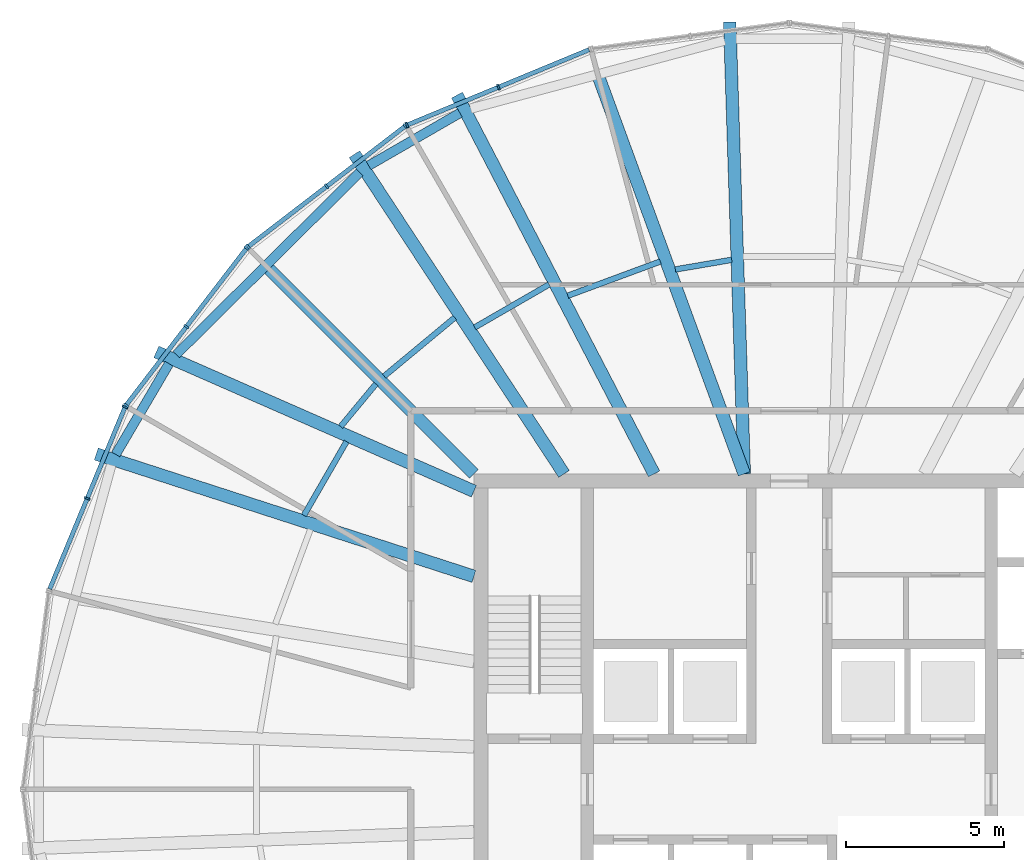
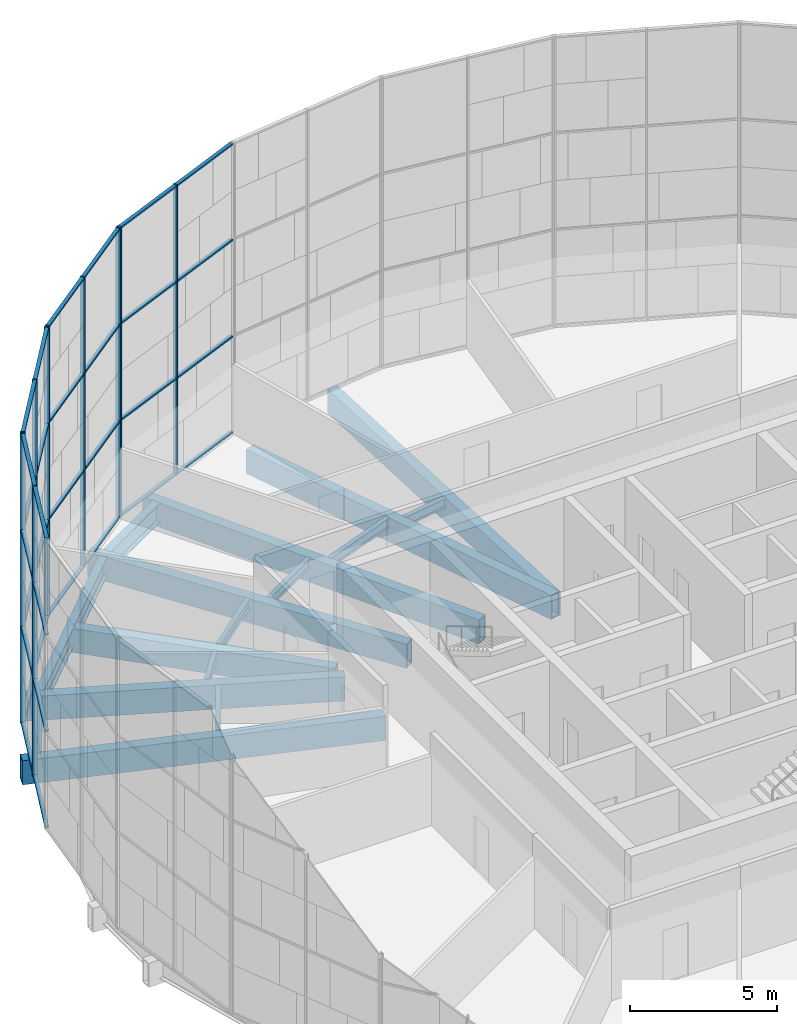
# One storey, part 6 of 22: 42 members, 16 beams, 4 elements without a shape of their own.
"""IFC4 building model written with IfcOpenShell, lengths in metres."""

from ifc_helpers import new_model, si_unit, direction, frame, origin, origin_2d, place, context, subcontext, project, spatial, rectangle, hollow_rectangle, i_section, extrude, material, material_profile, profile_set, type_object, element, aggregate, save


model = new_model("IFC4")

# Units and contexts
model_context = context("Model", 3, precision=1e-05, world=origin(), true_north=direction((0.0, 1.0)))
body_context = subcontext(model_context, "Body", "Model", "MODEL_VIEW")
ifc_project = project(units=[si_unit("LENGTHUNIT", "METRE"), si_unit("AREAUNIT", "SQUARE_METRE"), si_unit("VOLUMEUNIT", "CUBIC_METRE"), si_unit("PLANEANGLEUNIT", "RADIAN"), si_unit("MASSUNIT", "GRAM", prefix="KILO")], contexts=[model_context])

# Site, building, storey
site_placement = place(None, origin())
site = spatial("IfcSite", under=ifc_project, at=site_placement, CompositionType="ELEMENT")
building_placement = place(site_placement, origin())
building = spatial("IfcBuilding", under=site, at=building_placement, Name="Golbaran Civic Tower", CompositionType="ELEMENT")
storey_placement = place(building_placement, frame((0.0, 0.0, 155.0)))
storey = spatial("IfcBuildingStorey", under=building, at=storey_placement, Name="L37", CompositionType="ELEMENT", Elevation=155.0)

# Beams
ifc_material_1 = material(Name="Steel S355", Category="steel")
ifc_material_profile_1 = material_profile(ifc_material_1, i_section(OverallWidth=0.300048828125, OverallDepth=0.800048828125, WebThickness=0.017578125, FlangeThickness=0.032958984375, FilletRadius=0.030029296875, at=origin_2d()), Name="HEB 800")
ifc_profile_set_1 = profile_set([ifc_material_profile_1], Name="Steel S355")
beam_type_1 = type_object("IfcBeamType", Name="EDGE BEAM HEB 800", PredefinedType="BEAM", material=ifc_profile_set_1)
beam_1_placement = place(storey_placement, frame((-10.44287109375, 21.443115234375, -0.60009765625), z_axis=(-0.866175852343, -0.499739324867, 0.0), x_axis=(0.499739324867, -0.866175852343, 0.0)))
element("IfcBeam", 1, at=beam_1_placement, inside=storey, type_object=beam_type_1, Name="Edge beam 115.62 L37", PredefinedType="BEAM", context=body_context, shape_type="SweptSolid", body=[
    extrude(i_section(OverallWidth=0.300048828125, OverallDepth=0.800048828125, WebThickness=0.017578125, FlangeThickness=0.032958984375, FilletRadius=0.030029296875, at=origin_2d()), origin(), (0.0, 0.0, 1.0), 3.340576171875),
])
beam_2_placement = place(storey_placement, frame((-13.623046875, 19.55419921875, -0.60009765625), z_axis=(-0.709963262307, -0.704238713913, 0.0), x_axis=(0.704238713913, -0.709963262307, 0.0)))
element("IfcBeam", 2, at=beam_2_placement, inside=storey, type_object=beam_type_1, Name="Edge beam 124.38 L37", PredefinedType="BEAM", context=body_context, shape_type="SweptSolid", body=[
    extrude(i_section(OverallWidth=0.300048828125, OverallDepth=0.800048828125, WebThickness=0.017578125, FlangeThickness=0.032958984375, FilletRadius=0.030029296875, at=origin_2d()), origin(), (0.0, 0.0, 1.0), 8.1884765625),
])
beam_3_placement = place(storey_placement, frame((-19.665771484375, 13.4951171875, -0.60009765625), z_axis=(-0.506674807094, -0.862137251171, 0.0), x_axis=(0.862137251171, -0.506674807094, 0.0)))
element("IfcBeam", 3, at=beam_3_placement, inside=storey, type_object=beam_type_1, Name="Edge beam 145.62 L37", PredefinedType="BEAM", context=body_context, shape_type="SweptSolid", body=[
    extrude(i_section(OverallWidth=0.300048828125, OverallDepth=0.800048828125, WebThickness=0.017578125, FlangeThickness=0.032958984375, FilletRadius=0.030029296875, at=origin_2d()), origin(), (0.0, 0.0, 1.0), 3.33740234375),
])
ifc_material_profile_2 = material_profile(ifc_material_1, i_section(OverallWidth=0.179931640625, OverallDepth=0.39990234375, WebThickness=0.008544921875, FlangeThickness=0.013427734375, FilletRadius=0.02099609375, at=origin_2d()), Name="IPE 400")
ifc_profile_set_2 = profile_set([ifc_material_profile_2], Name="Steel S355")
beam_type_2 = type_object("IfcBeamType", Name="FLOOR INFILL BEAM IPE 400", PredefinedType="BEAM", material=ifc_profile_set_2)
beam_4_placement = place(storey_placement, frame((-1.826416015625, 16.786865234375, -0.39990234375), z_axis=(-0.985734791047, -0.168306035898, 0.0), x_axis=(0.168306035898, -0.985734791047, 0.0)))
element("IfcBeam", 4, at=beam_4_placement, inside=storey, type_object=beam_type_2, Name="Infill beam 99.69 L37", PredefinedType="BEAM", context=body_context, shape_type="SweptSolid", body=[
    extrude(i_section(OverallWidth=0.179931640625, OverallDepth=0.39990234375, WebThickness=0.008544921875, FlangeThickness=0.013427734375, FilletRadius=0.02099609375, at=origin_2d()), origin(), (0.0, 0.0, 1.0), 1.813232421875),
])
beam_5_placement = place(storey_placement, frame((-4.08984375, 16.734130859375, -0.39990234375), z_axis=(-0.937838207925, -0.347072752829, 0.0), x_axis=(0.347072752829, -0.937838207925, 0.0)))
element("IfcBeam", 5, at=beam_5_placement, inside=storey, type_object=beam_type_2, Name="Infill beam 110.31 L37", PredefinedType="BEAM", context=body_context, shape_type="SweptSolid", body=[
    extrude(i_section(OverallWidth=0.179931640625, OverallDepth=0.39990234375, WebThickness=0.008544921875, FlangeThickness=0.013427734375, FilletRadius=0.02099609375, at=origin_2d()), origin(), (0.0, 0.0, 1.0), 3.126708984375),
])
beam_6_placement = place(storey_placement, frame((-7.6142578125, 16.007080078125, -0.39990234375), z_axis=(-0.866022906543, -0.500004325324, 0.0), x_axis=(0.500004325324, -0.866022906543, 0.0)))
element("IfcBeam", 6, at=beam_6_placement, inside=storey, type_object=beam_type_2, Name="Infill beam 120.00 L37", PredefinedType="BEAM", context=body_context, shape_type="SweptSolid", body=[
    extrude(i_section(OverallWidth=0.179931640625, OverallDepth=0.39990234375, WebThickness=0.008544921875, FlangeThickness=0.013427734375, FilletRadius=0.02099609375, at=origin_2d()), origin(), (0.0, 0.0, 1.0), 2.72412109375),
])
beam_7_placement = place(storey_placement, frame((-10.607177734375, 14.954833984375, -0.39990234375), z_axis=(-0.769541494955, -0.63859681141, 0.0), x_axis=(0.63859681141, -0.769541494955, 0.0)))
element("IfcBeam", 7, at=beam_7_placement, inside=storey, type_object=beam_type_2, Name="Infill beam 129.69 L37", PredefinedType="BEAM", context=body_context, shape_type="SweptSolid", body=[
    extrude(i_section(OverallWidth=0.179931640625, OverallDepth=0.39990234375, WebThickness=0.008544921875, FlangeThickness=0.013427734375, FilletRadius=0.02099609375, at=origin_2d()), origin(), (0.0, 0.0, 1.0), 2.90673828125),
])
beam_8_placement = place(storey_placement, frame((-13.10498046875, 12.850341796875, -0.39990234375), z_axis=(-0.63856720713, -0.769566060828, 0.0), x_axis=(0.769566060828, -0.63856720713, 0.0)))
element("IfcBeam", 8, at=beam_8_placement, inside=storey, type_object=beam_type_2, Name="Infill beam 140.31 L37", PredefinedType="BEAM", context=body_context, shape_type="SweptSolid", body=[
    extrude(i_section(OverallWidth=0.179931640625, OverallDepth=0.39990234375, WebThickness=0.008544921875, FlangeThickness=0.013427734375, FilletRadius=0.02099609375, at=origin_2d()), origin(), (0.0, 0.0, 1.0), 1.753662109375),
])
beam_9_placement = place(storey_placement, frame((-14.037841796875, 11.025390625, -0.39990234375), z_axis=(-0.499996136155, -0.866027634565, 0.0), x_axis=(0.866027634565, -0.499996136155, 0.0)))
element("IfcBeam", 9, at=beam_9_placement, inside=storey, type_object=beam_type_2, Name="Infill beam 150.00 L37", PredefinedType="BEAM", context=body_context, shape_type="SweptSolid", body=[
    extrude(i_section(OverallWidth=0.179931640625, OverallDepth=0.39990234375, WebThickness=0.008544921875, FlangeThickness=0.013427734375, FilletRadius=0.02099609375, at=origin_2d()), origin(), (0.0, 0.0, 1.0), 2.70263671875),
])

# Curtain wall, members
ifc_material_2 = material(Name="Aluminium and glass", Category="aluminium")
curtain_wall_type = type_object("IfcCurtainWallType", Name="INNER SKIN CURTAIN WALL", PredefinedType="NOTDEFINED", material=ifc_material_2)
curtain_wall_1_placement = place(storey_placement, origin())
curtain_wall_1 = element("IfcCurtainWall", 10, at=curtain_wall_1_placement, inside=storey, type_object=curtain_wall_type, Name="Inner skin L37 facet 8 CW1", ObjectType="INNER SKIN", PredefinedType="USERDEFINED")
ifc_material_3 = material(Name="Aluminium", Category="aluminium")
ifc_material_profile_3 = material_profile(ifc_material_3, rectangle(XDim=0.179931640625, YDim=0.06494140625, at=origin_2d()), Name="INNER SKIN CURTAIN WALL MULLION")
ifc_profile_set_3 = profile_set([ifc_material_profile_3], Name="Aluminium")
member_type_1 = type_object("IfcMemberType", Name="INNER SKIN CURTAIN WALL MULLION", PredefinedType="MULLION", material=ifc_profile_set_3)
member_1_placement = place(storey_placement, frame((-9.220458984375, 22.260009765625, 0.0), z_axis=(0.0, 0.0, 1.0), x_axis=(0.382683432268, -0.923879532551, 0.0)))
member_1 = element("IfcMember", 11, at=member_1_placement, type_object=member_type_1, Name="CW1 mullion 2", PredefinedType="MULLION", context=body_context, shape_type="SweptSolid", body=[
    extrude(rectangle(XDim=0.179931640625, YDim=0.06494140625, at=origin_2d()), origin(), (0.0, 0.0, 1.0), 12.0),
])
member_2_placement = place(storey_placement, frame((-12.12109375, 21.05859375, 0.0), z_axis=(0.0, 0.0, 1.0), x_axis=(0.382683432268, -0.923879532551, 0.0)))
member_2 = element("IfcMember", 12, at=member_2_placement, type_object=member_type_1, Name="CW1 mullion 3", PredefinedType="MULLION", context=body_context, shape_type="SweptSolid", body=[
    extrude(rectangle(XDim=0.179931640625, YDim=0.06494140625, at=origin_2d()), origin(), (0.0, 0.0, 1.0), 12.0),
])

curtain_wall_2_placement = place(storey_placement, origin())
curtain_wall_2 = element("IfcCurtainWall", 13, at=curtain_wall_2_placement, inside=storey, type_object=curtain_wall_type, Name="Inner skin L37 facet 9 CW1", ObjectType="INNER SKIN", PredefinedType="USERDEFINED")
member_3_placement = place(storey_placement, frame((-12.1767578125, 21.0263671875, 0.0), z_axis=(0.0, 0.0, 1.0), x_axis=(0.608761429106, -0.793353340217, 0.0)))
member_3 = element("IfcMember", 14, at=member_3_placement, type_object=member_type_1, Name="CW1 mullion 1", PredefinedType="MULLION", context=body_context, shape_type="SweptSolid", body=[
    extrude(rectangle(XDim=0.179931640625, YDim=0.06494140625, at=origin_2d()), origin(), (0.0, 0.0, 1.0), 12.0),
])
member_4_placement = place(storey_placement, frame((-14.66748046875, 19.115234375, 0.0), z_axis=(0.0, 0.0, 1.0), x_axis=(0.608761429106, -0.793353340217, 0.0)))
member_4 = element("IfcMember", 15, at=member_4_placement, type_object=member_type_1, Name="CW1 mullion 2", PredefinedType="MULLION", context=body_context, shape_type="SweptSolid", body=[
    extrude(rectangle(XDim=0.179931640625, YDim=0.06494140625, at=origin_2d()), origin(), (0.0, 0.0, 1.0), 12.0),
])
member_5_placement = place(storey_placement, frame((-17.158203125, 17.203857421875, 0.0), z_axis=(0.0, 0.0, 1.0), x_axis=(0.608761429106, -0.793353340217, 0.0)))
member_5 = element("IfcMember", 16, at=member_5_placement, type_object=member_type_1, Name="CW1 mullion 3", PredefinedType="MULLION", context=body_context, shape_type="SweptSolid", body=[
    extrude(rectangle(XDim=0.179931640625, YDim=0.06494140625, at=origin_2d()), origin(), (0.0, 0.0, 1.0), 12.0),
])

curtain_wall_3_placement = place(storey_placement, origin())
curtain_wall_3 = element("IfcCurtainWall", 17, at=curtain_wall_3_placement, inside=storey, type_object=curtain_wall_type, Name="Inner skin L37 facet 10 CW1", ObjectType="INNER SKIN", PredefinedType="USERDEFINED")
member_6_placement = place(storey_placement, frame((-17.203857421875, 17.158203125, 0.0), z_axis=(0.0, 0.0, 1.0), x_axis=(0.793353340217, -0.608761429106, 0.0)))
member_6 = element("IfcMember", 18, at=member_6_placement, type_object=member_type_1, Name="CW1 mullion 1", PredefinedType="MULLION", context=body_context, shape_type="SweptSolid", body=[
    extrude(rectangle(XDim=0.179931640625, YDim=0.06494140625, at=origin_2d()), origin(), (0.0, 0.0, 1.0), 12.0),
])
member_7_placement = place(storey_placement, frame((-19.115234375, 14.66748046875, 0.0), z_axis=(0.0, 0.0, 1.0), x_axis=(0.793353340217, -0.608761429106, 0.0)))
member_7 = element("IfcMember", 19, at=member_7_placement, type_object=member_type_1, Name="CW1 mullion 2", PredefinedType="MULLION", context=body_context, shape_type="SweptSolid", body=[
    extrude(rectangle(XDim=0.179931640625, YDim=0.06494140625, at=origin_2d()), origin(), (0.0, 0.0, 1.0), 12.0),
])
member_8_placement = place(storey_placement, frame((-21.0263671875, 12.1767578125, 0.0), z_axis=(0.0, 0.0, 1.0), x_axis=(0.793353340217, -0.608761429106, 0.0)))
member_8 = element("IfcMember", 20, at=member_8_placement, type_object=member_type_1, Name="CW1 mullion 3", PredefinedType="MULLION", context=body_context, shape_type="SweptSolid", body=[
    extrude(rectangle(XDim=0.179931640625, YDim=0.06494140625, at=origin_2d()), origin(), (0.0, 0.0, 1.0), 12.0),
])

curtain_wall_4_placement = place(storey_placement, origin())
curtain_wall_4 = element("IfcCurtainWall", 21, at=curtain_wall_4_placement, inside=storey, type_object=curtain_wall_type, Name="Inner skin L37 facet 11 CW1", ObjectType="INNER SKIN", PredefinedType="USERDEFINED")
member_9_placement = place(storey_placement, frame((-21.05859375, 12.12109375, 0.0), z_axis=(0.0, 0.0, 1.0), x_axis=(0.923879532551, -0.382683432268, 0.0)))
member_9 = element("IfcMember", 22, at=member_9_placement, type_object=member_type_1, Name="CW1 mullion 1", PredefinedType="MULLION", context=body_context, shape_type="SweptSolid", body=[
    extrude(rectangle(XDim=0.179931640625, YDim=0.06494140625, at=origin_2d()), origin(), (0.0, 0.0, 1.0), 12.0),
])
member_10_placement = place(storey_placement, frame((-22.260009765625, 9.220458984375, 0.0), z_axis=(0.0, 0.0, 1.0), x_axis=(0.923879532551, -0.382683432268, 0.0)))
member_10 = element("IfcMember", 23, at=member_10_placement, type_object=member_type_1, Name="CW1 mullion 2", PredefinedType="MULLION", context=body_context, shape_type="SweptSolid", body=[
    extrude(rectangle(XDim=0.179931640625, YDim=0.06494140625, at=origin_2d()), origin(), (0.0, 0.0, 1.0), 12.0),
])

# Member
ifc_material_profile_4 = material_profile(ifc_material_3, rectangle(XDim=0.139892578125, YDim=0.06494140625, at=origin_2d()), Name="INNER SKIN CURTAIN WALL TRANSOM")
ifc_profile_set_4 = profile_set([ifc_material_profile_4], Name="Aluminium")
member_type_2 = type_object("IfcMemberType", Name="INNER SKIN CURTAIN WALL TRANSOM", PredefinedType="USERDEFINED", material=ifc_profile_set_4)
member_11_placement = place(storey_placement, frame((-6.349853515625, 23.448974609375, 0.032470703125), z_axis=(-0.923890054359, -0.38265802939, 0.0), x_axis=(0.38265802939, -0.923890054359, 0.0)))
member_11 = element("IfcMember", 24, at=member_11_placement, type_object=member_type_2, Name="CW1 transom 1.1", ObjectType="TRANSOM", PredefinedType="USERDEFINED", context=body_context, shape_type="SweptSolid", body=[
    extrude(rectangle(XDim=0.139892578125, YDim=0.06494140625, at=origin_2d()), origin(), (0.0, 0.0, 1.0), 3.074462890625),
])

member_12_placement = place(storey_placement, frame((-6.349853515625, 23.448974609375, 4.0), z_axis=(-0.923890054359, -0.38265802939, 0.0), x_axis=(0.38265802939, -0.923890054359, 0.0)))
member_12 = element("IfcMember", 25, at=member_12_placement, type_object=member_type_2, Name="CW1 transom 1.2", ObjectType="TRANSOM", PredefinedType="USERDEFINED", context=body_context, shape_type="SweptSolid", body=[
    extrude(rectangle(XDim=0.139892578125, YDim=0.06494140625, at=origin_2d()), origin(), (0.0, 0.0, 1.0), 3.074462890625),
])

member_13_placement = place(storey_placement, frame((-6.349853515625, 23.448974609375, 8.0), z_axis=(-0.923890054359, -0.38265802939, 0.0), x_axis=(0.38265802939, -0.923890054359, 0.0)))
member_13 = element("IfcMember", 26, at=member_13_placement, type_object=member_type_2, Name="CW1 transom 1.3", ObjectType="TRANSOM", PredefinedType="USERDEFINED", context=body_context, shape_type="SweptSolid", body=[
    extrude(rectangle(XDim=0.139892578125, YDim=0.06494140625, at=origin_2d()), origin(), (0.0, 0.0, 1.0), 3.074462890625),
])

member_14_placement = place(storey_placement, frame((-6.349853515625, 23.448974609375, 11.967529296875), z_axis=(-0.923890054359, -0.38265802939, 0.0), x_axis=(0.38265802939, -0.923890054359, 0.0)))
member_14 = element("IfcMember", 27, at=member_14_placement, type_object=member_type_2, Name="CW1 transom 1.4", ObjectType="TRANSOM", PredefinedType="USERDEFINED", context=body_context, shape_type="SweptSolid", body=[
    extrude(rectangle(XDim=0.139892578125, YDim=0.06494140625, at=origin_2d()), origin(), (0.0, 0.0, 1.0), 3.074462890625),
])

member_15_placement = place(storey_placement, frame((-9.25048828125, 22.24755859375, 0.032470703125), z_axis=(-0.923890054359, -0.38265802939, 0.0), x_axis=(0.38265802939, -0.923890054359, 0.0)))
member_15 = element("IfcMember", 28, at=member_15_placement, type_object=member_type_2, Name="CW1 transom 2.1", ObjectType="TRANSOM", PredefinedType="USERDEFINED", context=body_context, shape_type="SweptSolid", body=[
    extrude(rectangle(XDim=0.139892578125, YDim=0.06494140625, at=origin_2d()), origin(), (0.0, 0.0, 1.0), 3.074462890625),
])

member_16_placement = place(storey_placement, frame((-9.25048828125, 22.24755859375, 4.0), z_axis=(-0.923890054359, -0.38265802939, 0.0), x_axis=(0.38265802939, -0.923890054359, 0.0)))
member_16 = element("IfcMember", 29, at=member_16_placement, type_object=member_type_2, Name="CW1 transom 2.2", ObjectType="TRANSOM", PredefinedType="USERDEFINED", context=body_context, shape_type="SweptSolid", body=[
    extrude(rectangle(XDim=0.139892578125, YDim=0.06494140625, at=origin_2d()), origin(), (0.0, 0.0, 1.0), 3.074462890625),
])

member_17_placement = place(storey_placement, frame((-9.25048828125, 22.24755859375, 8.0), z_axis=(-0.923890054359, -0.38265802939, 0.0), x_axis=(0.38265802939, -0.923890054359, 0.0)))
member_17 = element("IfcMember", 30, at=member_17_placement, type_object=member_type_2, Name="CW1 transom 2.3", ObjectType="TRANSOM", PredefinedType="USERDEFINED", context=body_context, shape_type="SweptSolid", body=[
    extrude(rectangle(XDim=0.139892578125, YDim=0.06494140625, at=origin_2d()), origin(), (0.0, 0.0, 1.0), 3.074462890625),
])

member_18_placement = place(storey_placement, frame((-9.25048828125, 22.24755859375, 11.967529296875), z_axis=(-0.923890054359, -0.38265802939, 0.0), x_axis=(0.38265802939, -0.923890054359, 0.0)))
member_18 = element("IfcMember", 31, at=member_18_placement, type_object=member_type_2, Name="CW1 transom 2.4", ObjectType="TRANSOM", PredefinedType="USERDEFINED", context=body_context, shape_type="SweptSolid", body=[
    extrude(rectangle(XDim=0.139892578125, YDim=0.06494140625, at=origin_2d()), origin(), (0.0, 0.0, 1.0), 3.074462890625),
])

aggregate(curtain_wall_1, [member_1, member_2, member_11, member_12, member_13, member_14, member_15, member_16, member_17, member_18])

member_19_placement = place(storey_placement, frame((-12.20263671875, 21.006591796875, 0.032470703125), z_axis=(-0.793367297505, -0.608743239182, 0.0), x_axis=(0.608743239182, -0.793367297505, 0.0)))
member_19 = element("IfcMember", 32, at=member_19_placement, type_object=member_type_2, Name="CW1 transom 1.1", ObjectType="TRANSOM", PredefinedType="USERDEFINED", context=body_context, shape_type="SweptSolid", body=[
    extrude(rectangle(XDim=0.139892578125, YDim=0.06494140625, at=origin_2d()), origin(), (0.0, 0.0, 1.0), 3.074462890625),
])

member_20_placement = place(storey_placement, frame((-12.20263671875, 21.006591796875, 4.0), z_axis=(-0.793367297505, -0.608743239182, 0.0), x_axis=(0.608743239182, -0.793367297505, 0.0)))
member_20 = element("IfcMember", 33, at=member_20_placement, type_object=member_type_2, Name="CW1 transom 1.2", ObjectType="TRANSOM", PredefinedType="USERDEFINED", context=body_context, shape_type="SweptSolid", body=[
    extrude(rectangle(XDim=0.139892578125, YDim=0.06494140625, at=origin_2d()), origin(), (0.0, 0.0, 1.0), 3.074462890625),
])

member_21_placement = place(storey_placement, frame((-12.20263671875, 21.006591796875, 8.0), z_axis=(-0.793367297505, -0.608743239182, 0.0), x_axis=(0.608743239182, -0.793367297505, 0.0)))
member_21 = element("IfcMember", 34, at=member_21_placement, type_object=member_type_2, Name="CW1 transom 1.3", ObjectType="TRANSOM", PredefinedType="USERDEFINED", context=body_context, shape_type="SweptSolid", body=[
    extrude(rectangle(XDim=0.139892578125, YDim=0.06494140625, at=origin_2d()), origin(), (0.0, 0.0, 1.0), 3.074462890625),
])

member_22_placement = place(storey_placement, frame((-12.20263671875, 21.006591796875, 11.967529296875), z_axis=(-0.793367297505, -0.608743239182, 0.0), x_axis=(0.608743239182, -0.793367297505, 0.0)))
member_22 = element("IfcMember", 35, at=member_22_placement, type_object=member_type_2, Name="CW1 transom 1.4", ObjectType="TRANSOM", PredefinedType="USERDEFINED", context=body_context, shape_type="SweptSolid", body=[
    extrude(rectangle(XDim=0.139892578125, YDim=0.06494140625, at=origin_2d()), origin(), (0.0, 0.0, 1.0), 3.074462890625),
])

member_23_placement = place(storey_placement, frame((-14.693359375, 19.095458984375, 0.032470703125), z_axis=(-0.793328947041, -0.608793217592, 0.0), x_axis=(0.608793217592, -0.793328947041, 0.0)))
member_23 = element("IfcMember", 36, at=member_23_placement, type_object=member_type_2, Name="CW1 transom 2.1", ObjectType="TRANSOM", PredefinedType="USERDEFINED", context=body_context, shape_type="SweptSolid", body=[
    extrude(rectangle(XDim=0.139892578125, YDim=0.06494140625, at=origin_2d()), origin(), (0.0, 0.0, 1.0), 3.07470703125),
])

member_24_placement = place(storey_placement, frame((-14.693359375, 19.095458984375, 4.0), z_axis=(-0.793328947041, -0.608793217592, 0.0), x_axis=(0.608793217592, -0.793328947041, 0.0)))
member_24 = element("IfcMember", 37, at=member_24_placement, type_object=member_type_2, Name="CW1 transom 2.2", ObjectType="TRANSOM", PredefinedType="USERDEFINED", context=body_context, shape_type="SweptSolid", body=[
    extrude(rectangle(XDim=0.139892578125, YDim=0.06494140625, at=origin_2d()), origin(), (0.0, 0.0, 1.0), 3.07470703125),
])

member_25_placement = place(storey_placement, frame((-14.693359375, 19.095458984375, 8.0), z_axis=(-0.793328947041, -0.608793217592, 0.0), x_axis=(0.608793217592, -0.793328947041, 0.0)))
member_25 = element("IfcMember", 38, at=member_25_placement, type_object=member_type_2, Name="CW1 transom 2.3", ObjectType="TRANSOM", PredefinedType="USERDEFINED", context=body_context, shape_type="SweptSolid", body=[
    extrude(rectangle(XDim=0.139892578125, YDim=0.06494140625, at=origin_2d()), origin(), (0.0, 0.0, 1.0), 3.07470703125),
])

member_26_placement = place(storey_placement, frame((-14.693359375, 19.095458984375, 11.967529296875), z_axis=(-0.793328947041, -0.608793217592, 0.0), x_axis=(0.608793217592, -0.793328947041, 0.0)))
member_26 = element("IfcMember", 39, at=member_26_placement, type_object=member_type_2, Name="CW1 transom 2.4", ObjectType="TRANSOM", PredefinedType="USERDEFINED", context=body_context, shape_type="SweptSolid", body=[
    extrude(rectangle(XDim=0.139892578125, YDim=0.06494140625, at=origin_2d()), origin(), (0.0, 0.0, 1.0), 3.07470703125),
])

aggregate(curtain_wall_2, [member_3, member_4, member_5, member_19, member_20, member_21, member_22, member_23, member_24, member_25, member_26])

member_27_placement = place(storey_placement, frame((-17.2236328125, 17.132568359375, 0.032470703125), z_axis=(-0.608793217592, -0.793328947041, 0.0), x_axis=(0.793328947041, -0.608793217592, 0.0)))
member_27 = element("IfcMember", 40, at=member_27_placement, type_object=member_type_2, Name="CW1 transom 1.1", ObjectType="TRANSOM", PredefinedType="USERDEFINED", context=body_context, shape_type="SweptSolid", body=[
    extrude(rectangle(XDim=0.139892578125, YDim=0.06494140625, at=origin_2d()), origin(), (0.0, 0.0, 1.0), 3.07470703125),
])

member_28_placement = place(storey_placement, frame((-17.2236328125, 17.132568359375, 4.0), z_axis=(-0.608793217592, -0.793328947041, 0.0), x_axis=(0.793328947041, -0.608793217592, 0.0)))
member_28 = element("IfcMember", 41, at=member_28_placement, type_object=member_type_2, Name="CW1 transom 1.2", ObjectType="TRANSOM", PredefinedType="USERDEFINED", context=body_context, shape_type="SweptSolid", body=[
    extrude(rectangle(XDim=0.139892578125, YDim=0.06494140625, at=origin_2d()), origin(), (0.0, 0.0, 1.0), 3.07470703125),
])

member_29_placement = place(storey_placement, frame((-17.2236328125, 17.132568359375, 8.0), z_axis=(-0.608793217592, -0.793328947041, 0.0), x_axis=(0.793328947041, -0.608793217592, 0.0)))
member_29 = element("IfcMember", 42, at=member_29_placement, type_object=member_type_2, Name="CW1 transom 1.3", ObjectType="TRANSOM", PredefinedType="USERDEFINED", context=body_context, shape_type="SweptSolid", body=[
    extrude(rectangle(XDim=0.139892578125, YDim=0.06494140625, at=origin_2d()), origin(), (0.0, 0.0, 1.0), 3.07470703125),
])

member_30_placement = place(storey_placement, frame((-17.2236328125, 17.132568359375, 11.967529296875), z_axis=(-0.608793217592, -0.793328947041, 0.0), x_axis=(0.793328947041, -0.608793217592, 0.0)))
member_30 = element("IfcMember", 43, at=member_30_placement, type_object=member_type_2, Name="CW1 transom 1.4", ObjectType="TRANSOM", PredefinedType="USERDEFINED", context=body_context, shape_type="SweptSolid", body=[
    extrude(rectangle(XDim=0.139892578125, YDim=0.06494140625, at=origin_2d()), origin(), (0.0, 0.0, 1.0), 3.07470703125),
])

member_31_placement = place(storey_placement, frame((-19.135009765625, 14.641845703125, 0.032470703125), z_axis=(-0.608743239182, -0.793367297505, 0.0), x_axis=(0.793367297505, -0.608743239182, 0.0)))
member_31 = element("IfcMember", 44, at=member_31_placement, type_object=member_type_2, Name="CW1 transom 2.1", ObjectType="TRANSOM", PredefinedType="USERDEFINED", context=body_context, shape_type="SweptSolid", body=[
    extrude(rectangle(XDim=0.139892578125, YDim=0.06494140625, at=origin_2d()), origin(), (0.0, 0.0, 1.0), 3.074462890625),
])

member_32_placement = place(storey_placement, frame((-19.135009765625, 14.641845703125, 4.0), z_axis=(-0.608743239182, -0.793367297505, 0.0), x_axis=(0.793367297505, -0.608743239182, 0.0)))
member_32 = element("IfcMember", 45, at=member_32_placement, type_object=member_type_2, Name="CW1 transom 2.2", ObjectType="TRANSOM", PredefinedType="USERDEFINED", context=body_context, shape_type="SweptSolid", body=[
    extrude(rectangle(XDim=0.139892578125, YDim=0.06494140625, at=origin_2d()), origin(), (0.0, 0.0, 1.0), 3.074462890625),
])

member_33_placement = place(storey_placement, frame((-19.135009765625, 14.641845703125, 8.0), z_axis=(-0.608743239182, -0.793367297505, 0.0), x_axis=(0.793367297505, -0.608743239182, 0.0)))
member_33 = element("IfcMember", 46, at=member_33_placement, type_object=member_type_2, Name="CW1 transom 2.3", ObjectType="TRANSOM", PredefinedType="USERDEFINED", context=body_context, shape_type="SweptSolid", body=[
    extrude(rectangle(XDim=0.139892578125, YDim=0.06494140625, at=origin_2d()), origin(), (0.0, 0.0, 1.0), 3.074462890625),
])

member_34_placement = place(storey_placement, frame((-19.135009765625, 14.641845703125, 11.967529296875), z_axis=(-0.608743239182, -0.793367297505, 0.0), x_axis=(0.793367297505, -0.608743239182, 0.0)))
member_34 = element("IfcMember", 47, at=member_34_placement, type_object=member_type_2, Name="CW1 transom 2.4", ObjectType="TRANSOM", PredefinedType="USERDEFINED", context=body_context, shape_type="SweptSolid", body=[
    extrude(rectangle(XDim=0.139892578125, YDim=0.06494140625, at=origin_2d()), origin(), (0.0, 0.0, 1.0), 3.074462890625),
])

aggregate(curtain_wall_3, [member_6, member_7, member_8, member_27, member_28, member_29, member_30, member_31, member_32, member_33, member_34])

member_35_placement = place(storey_placement, frame((-21.071044921875, 12.091064453125, 0.032470703125), z_axis=(-0.38265802939, -0.923890054359, 0.0), x_axis=(0.923890054359, -0.38265802939, 0.0)))
member_35 = element("IfcMember", 48, at=member_35_placement, type_object=member_type_2, Name="CW1 transom 1.1", ObjectType="TRANSOM", PredefinedType="USERDEFINED", context=body_context, shape_type="SweptSolid", body=[
    extrude(rectangle(XDim=0.139892578125, YDim=0.06494140625, at=origin_2d()), origin(), (0.0, 0.0, 1.0), 3.074462890625),
])

member_36_placement = place(storey_placement, frame((-21.071044921875, 12.091064453125, 4.0), z_axis=(-0.38265802939, -0.923890054359, 0.0), x_axis=(0.923890054359, -0.38265802939, 0.0)))
member_36 = element("IfcMember", 49, at=member_36_placement, type_object=member_type_2, Name="CW1 transom 1.2", ObjectType="TRANSOM", PredefinedType="USERDEFINED", context=body_context, shape_type="SweptSolid", body=[
    extrude(rectangle(XDim=0.139892578125, YDim=0.06494140625, at=origin_2d()), origin(), (0.0, 0.0, 1.0), 3.074462890625),
])

member_37_placement = place(storey_placement, frame((-21.071044921875, 12.091064453125, 8.0), z_axis=(-0.38265802939, -0.923890054359, 0.0), x_axis=(0.923890054359, -0.38265802939, 0.0)))
member_37 = element("IfcMember", 50, at=member_37_placement, type_object=member_type_2, Name="CW1 transom 1.3", ObjectType="TRANSOM", PredefinedType="USERDEFINED", context=body_context, shape_type="SweptSolid", body=[
    extrude(rectangle(XDim=0.139892578125, YDim=0.06494140625, at=origin_2d()), origin(), (0.0, 0.0, 1.0), 3.074462890625),
])

member_38_placement = place(storey_placement, frame((-21.071044921875, 12.091064453125, 11.967529296875), z_axis=(-0.38265802939, -0.923890054359, 0.0), x_axis=(0.923890054359, -0.38265802939, 0.0)))
member_38 = element("IfcMember", 51, at=member_38_placement, type_object=member_type_2, Name="CW1 transom 1.4", ObjectType="TRANSOM", PredefinedType="USERDEFINED", context=body_context, shape_type="SweptSolid", body=[
    extrude(rectangle(XDim=0.139892578125, YDim=0.06494140625, at=origin_2d()), origin(), (0.0, 0.0, 1.0), 3.074462890625),
])

member_39_placement = place(storey_placement, frame((-22.2724609375, 9.1904296875, 0.032470703125), z_axis=(-0.38265802939, -0.923890054359, 0.0), x_axis=(0.923890054359, -0.38265802939, 0.0)))
member_39 = element("IfcMember", 52, at=member_39_placement, type_object=member_type_2, Name="CW1 transom 2.1", ObjectType="TRANSOM", PredefinedType="USERDEFINED", context=body_context, shape_type="SweptSolid", body=[
    extrude(rectangle(XDim=0.139892578125, YDim=0.06494140625, at=origin_2d()), origin(), (0.0, 0.0, 1.0), 3.074462890625),
])

member_40_placement = place(storey_placement, frame((-22.2724609375, 9.1904296875, 4.0), z_axis=(-0.38265802939, -0.923890054359, 0.0), x_axis=(0.923890054359, -0.38265802939, 0.0)))
member_40 = element("IfcMember", 53, at=member_40_placement, type_object=member_type_2, Name="CW1 transom 2.2", ObjectType="TRANSOM", PredefinedType="USERDEFINED", context=body_context, shape_type="SweptSolid", body=[
    extrude(rectangle(XDim=0.139892578125, YDim=0.06494140625, at=origin_2d()), origin(), (0.0, 0.0, 1.0), 3.074462890625),
])

member_41_placement = place(storey_placement, frame((-22.2724609375, 9.1904296875, 8.0), z_axis=(-0.38265802939, -0.923890054359, 0.0), x_axis=(0.923890054359, -0.38265802939, 0.0)))
member_41 = element("IfcMember", 54, at=member_41_placement, type_object=member_type_2, Name="CW1 transom 2.3", ObjectType="TRANSOM", PredefinedType="USERDEFINED", context=body_context, shape_type="SweptSolid", body=[
    extrude(rectangle(XDim=0.139892578125, YDim=0.06494140625, at=origin_2d()), origin(), (0.0, 0.0, 1.0), 3.074462890625),
])

member_42_placement = place(storey_placement, frame((-22.2724609375, 9.1904296875, 11.967529296875), z_axis=(-0.38265802939, -0.923890054359, 0.0), x_axis=(0.923890054359, -0.38265802939, 0.0)))
member_42 = element("IfcMember", 55, at=member_42_placement, type_object=member_type_2, Name="CW1 transom 2.4", ObjectType="TRANSOM", PredefinedType="USERDEFINED", context=body_context, shape_type="SweptSolid", body=[
    extrude(rectangle(XDim=0.139892578125, YDim=0.06494140625, at=origin_2d()), origin(), (0.0, 0.0, 1.0), 3.074462890625),
])

aggregate(curtain_wall_4, [member_9, member_10, member_35, member_36, member_37, member_38, member_39, member_40, member_41, member_42])

# Beams
ifc_material_profile_5 = material_profile(ifc_material_1, hollow_rectangle(XDim=0.39990234375, YDim=1.0, WallThickness=0.050048828125, at=origin_2d()), Name="BOX 1000x400x50")
ifc_profile_set_5 = profile_set([ifc_material_profile_5], Name="Steel S355")
beam_type_3 = type_object("IfcBeamType", Name="RADIAL FLOOR BEAM BOX 1000x400x50", PredefinedType="BEAM", material=ifc_profile_set_5)
beam_10_placement = place(storey_placement, frame((-1.428466796875, 10.0, -0.7099609375), z_axis=(-0.032085434582, 0.999485129898, 0.0), x_axis=(-0.999485129898, -0.032085434582, 0.0)))
element("IfcBeam", 56, at=beam_10_placement, inside=storey, type_object=beam_type_3, Name="Radial beam 94.38 L37", PredefinedType="BEAM", context=body_context, shape_type="SweptSolid", body=[
    extrude(hollow_rectangle(XDim=0.39990234375, YDim=1.0, WallThickness=0.050048828125, at=origin_2d()), origin(), (0.0, 0.0, 1.0), 14.33544921875),
])
beam_11_placement = place(storey_placement, frame((-4.28564453125, 10.0, -0.7099609375), z_axis=(-0.461588342678, 0.887094246348, 0.0), x_axis=(-0.887094246348, -0.461588342678, 0.0)))
element("IfcBeam", 57, at=beam_11_placement, inside=storey, type_object=beam_type_3, Name="Radial beam 115.62 L37", PredefinedType="BEAM", context=body_context, shape_type="SweptSolid", body=[
    extrude(hollow_rectangle(XDim=0.39990234375, YDim=1.0, WallThickness=0.050048828125, at=origin_2d()), origin(), (0.0, 0.0, 1.0), 13.5390625),
])
beam_12_placement = place(storey_placement, frame((-7.142822265625, 10.0, -0.7099609375), z_axis=(-0.548342642764, 0.836253757018, 0.0), x_axis=(-0.836253757018, -0.548342642764, 0.0)))
element("IfcBeam", 58, at=beam_12_placement, inside=storey, type_object=beam_type_3, Name="Radial beam 124.38 L37", PredefinedType="BEAM", context=body_context, shape_type="SweptSolid", body=[
    extrude(hollow_rectangle(XDim=0.39990234375, YDim=1.0, WallThickness=0.050048828125, at=origin_2d()), origin(), (0.0, 0.0, 1.0), 12.118408203125),
])
beam_13_placement = place(storey_placement, frame((-10.0, 9.449951171875, -0.7099609375), z_axis=(-0.915699635691, 0.401863381256, 0.0), x_axis=(-0.401863381256, -0.915699635691, 0.0)))
element("IfcBeam", 59, at=beam_13_placement, inside=storey, type_object=beam_type_3, Name="Radial beam 145.62 L37", PredefinedType="BEAM", context=body_context, shape_type="SweptSolid", body=[
    extrude(hollow_rectangle(XDim=0.39990234375, YDim=1.0, WallThickness=0.050048828125, at=origin_2d()), origin(), (0.0, 0.0, 1.0), 10.99560546875),
])
beam_14_placement = place(storey_placement, frame((-10.0, 6.75, -0.7099609375), z_axis=(-0.951333518501, 0.30816316551, 0.0), x_axis=(-0.30816316551, -0.951333518501, 0.0)))
element("IfcBeam", 60, at=beam_14_placement, inside=storey, type_object=beam_type_3, Name="Radial beam 154.38 L37", PredefinedType="BEAM", context=body_context, shape_type="SweptSolid", body=[
    extrude(hollow_rectangle(XDim=0.39990234375, YDim=1.0, WallThickness=0.050048828125, at=origin_2d()), origin(), (0.0, 0.0, 1.0), 12.587158203125),
])
ifc_material_profile_6 = material_profile(ifc_material_1, hollow_rectangle(XDim=0.39990234375, YDim=1.0, WallThickness=0.0400390625, at=origin_2d()), Name="BOX 1000x400x40")
ifc_profile_set_6 = profile_set([ifc_material_profile_6], Name="Steel S355")
beam_type_4 = type_object("IfcBeamType", Name="SECONDARY FLOOR BEAM BOX 1000x400x40", PredefinedType="BEAM", material=ifc_profile_set_6)
beam_15_placement = place(storey_placement, frame((-1.428466796875, 10.0, -0.7099609375), z_axis=(-0.34431846855, 0.938852912982, 0.0), x_axis=(-0.938852912982, -0.34431846855, 0.0)))
element("IfcBeam", 61, at=beam_15_placement, inside=storey, type_object=beam_type_4, Name="Secondary beam 105.00 L37", PredefinedType="BEAM", context=body_context, shape_type="SweptSolid", body=[
    extrude(hollow_rectangle(XDim=0.39990234375, YDim=1.0, WallThickness=0.0400390625, at=origin_2d()), origin(), (0.0, 0.0, 1.0), 13.48828125),
])
beam_16_placement = place(storey_placement, frame((-10.0, 10.0, -0.7099609375), z_axis=(-0.707106781187, 0.707106781187, 0.0), x_axis=(-0.707106781187, -0.707106781187, 0.0)))
element("IfcBeam", 62, at=beam_16_placement, inside=storey, type_object=beam_type_4, Name="Secondary beam 135.00 L37", PredefinedType="BEAM", context=body_context, shape_type="SweptSolid", body=[
    extrude(hollow_rectangle(XDim=0.39990234375, YDim=1.0, WallThickness=0.0400390625, at=origin_2d()), origin(), (0.0, 0.0, 1.0), 9.334716796875),
])

save(model, "model.ifc")
